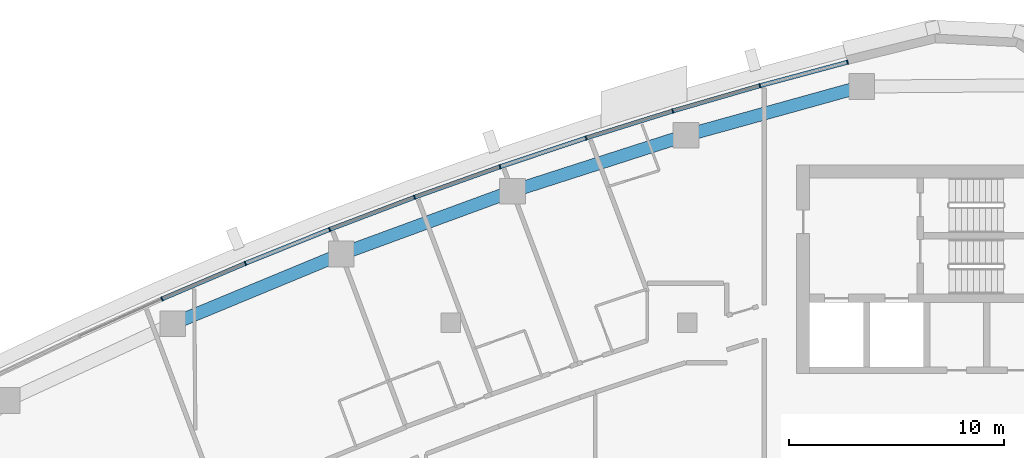
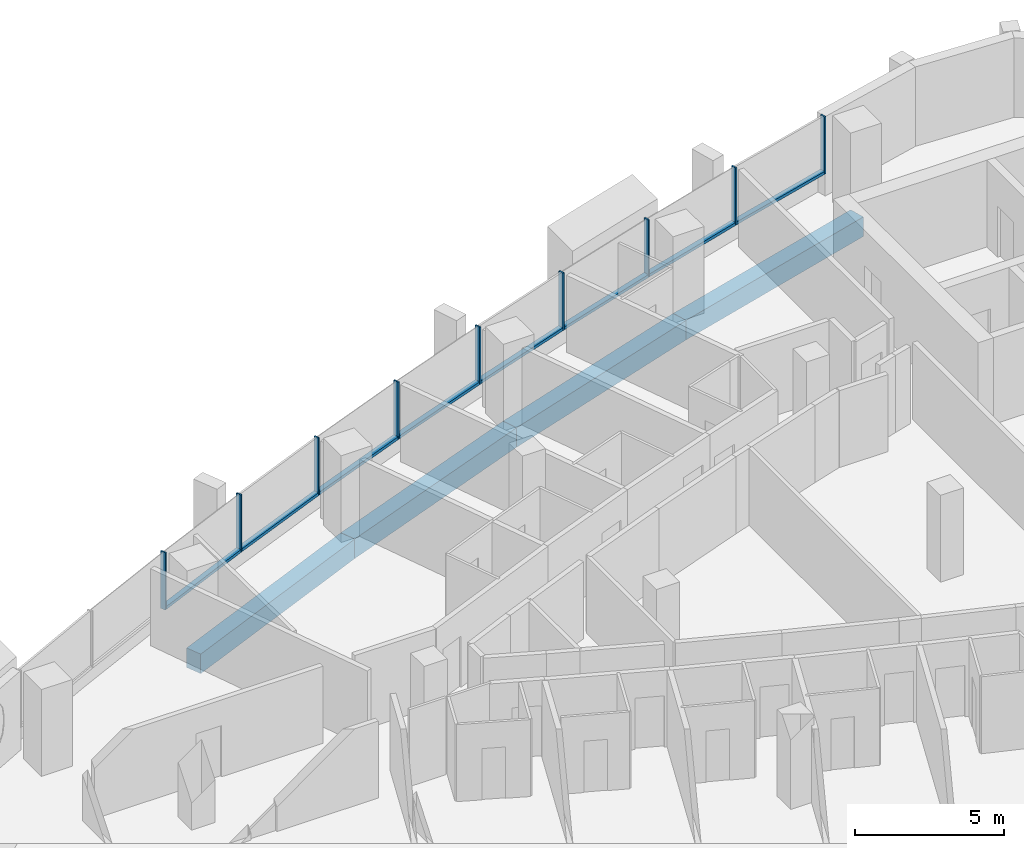
# One storey, part 6 of 16: 17 members, 4 beams, 4 elements without a shape of their own.
"""IFC4 building model written with IfcOpenShell, lengths in metres."""

from ifc_helpers import new_model, si_unit, direction, frame, origin, origin_2d, place, context, subcontext, project, spatial, rectangle, extrude, material, layer, layer_set, material_profile, profile_set, type_object, element, aggregate, save


model = new_model("IFC4")

# Units and contexts
model_context = context("Model", 3, precision=1e-05, world=origin(), true_north=direction((0.0, 1.0)))
body_context = subcontext(model_context, "Body", "Model", "MODEL_VIEW")
ifc_project = project(units=[si_unit("LENGTHUNIT", "METRE"), si_unit("AREAUNIT", "SQUARE_METRE"), si_unit("VOLUMEUNIT", "CUBIC_METRE"), si_unit("PLANEANGLEUNIT", "RADIAN"), si_unit("MASSUNIT", "GRAM", prefix="KILO")], contexts=[model_context])

# Site, building, storey
site_placement = place(None, origin())
site = spatial("IfcSite", under=ifc_project, at=site_placement, CompositionType="ELEMENT")
building_placement = place(site_placement, origin())
building = spatial("IfcBuilding", under=site, at=building_placement, Name="Ostrand Prow Hotel Tower", CompositionType="ELEMENT")
storey_placement = place(building_placement, frame((0.0, 0.0, 252.75)))
storey = spatial("IfcBuildingStorey", under=building, at=storey_placement, Name="L64", CompositionType="ELEMENT", Elevation=252.75)

# Beams
ifc_material_1 = material(Name="Concrete C50/60", Category="concrete")
ifc_material_profile_1 = material_profile(ifc_material_1, rectangle(XDim=0.60009765625, YDim=0.800048828125, at=origin_2d()), Name="RC 600x800")
ifc_profile_set_1 = profile_set([ifc_material_profile_1], Name="Concrete C50/60")
beam_type = type_object("IfcBeamType", Name="Edge beam 600x800 C50/60", PredefinedType="SPANDREL", material=ifc_profile_set_1)
for number, where, z_axis, x_axis, name in (
    (1, (53.12548828125, 19.99951171875, -0.699951171875), (-0.963625802813, -0.267255144297, 0.0), (0.267255144297, -0.963625802813, 0.0), "Edge beam N1-N2"),
    (2, (44.94677734375, 17.731201171875, -0.699951171875), (-0.95193933362, -0.306286638798, 0.0), (0.306286638798, -0.95193933362, 0.0), "Edge beam N2-N3"),
    (3, (36.8671875, 15.131591796875, -0.699951171875), (-0.938684959139, -0.344776083113, 0.0), (0.344776083113, -0.938684959139, 0.0), "Edge beam N3-N4"),
    (4, (28.900146484375, 12.205322265625, -0.699951171875), (-0.923890977326, -0.38265580097, 0.0), (0.38265580097, -0.923890977326, 0.0), "Edge beam N4-N5"),
):
    element("IfcBeam", number, at=place(storey_placement, frame(where, z_axis=z_axis, x_axis=x_axis)), inside=storey, type_object=beam_type, Name=name, PredefinedType="SPANDREL", context=body_context, shape_type="SweptSolid", body=[
        extrude(rectangle(XDim=0.60009765625, YDim=0.800048828125, at=origin_2d()), origin(), (0.0, 0.0, 1.0), 8.487548828125),
    ])

# Curtain wall, members
ifc_material_2 = material(Name="Insulated glass in bronze anodised frame", Category="glass")
ifc_layer = layer(ifc_material_2, 0.199951171875)
ifc_layer_set = layer_set([ifc_layer], Name="Insulated glass in bronze anodised frame")
curtain_wall_type = type_object("IfcCurtainWallType", Name="Strip curtain wall, fritted glass over bronze spandrel", PredefinedType="NOTDEFINED", material=ifc_layer_set)
curtain_wall_1_placement = place(storey_placement, origin())
curtain_wall_1 = element("IfcCurtainWall", 5, at=curtain_wall_1_placement, inside=storey, type_object=curtain_wall_type, Name="CW1 run CWN1", PredefinedType="NOTDEFINED")
ifc_material_3 = material(Name="Bronze anodised aluminium", Category="aluminium")
ifc_material_profile_2 = material_profile(ifc_material_3, rectangle(XDim=0.199951171875, YDim=0.06005859375, at=origin_2d()), Name="Mullion 60x200 bronze anodised aluminium")
ifc_profile_set_2 = profile_set([ifc_material_profile_2], Name="Bronze anodised aluminium")
member_type_1 = type_object("IfcMemberType", Name="Mullion 60x200 bronze anodised aluminium", PredefinedType="MULLION", material=ifc_profile_set_2)
member_1_placement = place(storey_placement, frame((52.465576171875, 21.1328125, 0.89990234375), z_axis=(0.0, 0.0, 1.0), x_axis=(0.258994370132, -0.965878831034, 0.0)))
member_1 = element("IfcMember", 6, at=member_1_placement, type_object=member_type_1, Name="CW1 mullion 1", PredefinedType="MULLION", context=body_context, shape_type="SweptSolid", body=[
    extrude(rectangle(XDim=0.199951171875, YDim=0.06005859375, at=origin_2d()), origin(), (0.0, 0.0, 1.0), 2.35009765625),
])
member_2_placement = place(storey_placement, frame((48.385986328125, 20.038818359375, 0.89990234375), z_axis=(0.0, 0.0, 1.0), x_axis=(0.27839270969, -0.960467333745, 0.0)))
member_2 = element("IfcMember", 7, at=member_2_placement, type_object=member_type_1, Name="CW1 mullion 2", PredefinedType="MULLION", context=body_context, shape_type="SweptSolid", body=[
    extrude(rectangle(XDim=0.199951171875, YDim=0.06005859375, at=origin_2d()), origin(), (0.0, 0.0, 1.0), 2.35009765625),
])
member_3_placement = place(storey_placement, frame((44.3291015625, 18.863037109375, 0.89990234375), z_axis=(0.0, 0.0, 1.0), x_axis=(0.27839270969, -0.960467333745, 0.0)))
member_3 = element("IfcMember", 8, at=member_3_placement, type_object=member_type_1, Name="CW1 mullion 3", PredefinedType="MULLION", context=body_context, shape_type="SweptSolid", body=[
    extrude(rectangle(XDim=0.199951171875, YDim=0.06005859375, at=origin_2d()), origin(), (0.0, 0.0, 1.0), 2.35009765625),
])

curtain_wall_2_placement = place(storey_placement, origin())
curtain_wall_2 = element("IfcCurtainWall", 9, at=curtain_wall_2_placement, inside=storey, type_object=curtain_wall_type, Name="CW1 run CWN2", PredefinedType="NOTDEFINED")
member_4_placement = place(storey_placement, frame((40.297119140625, 17.605712890625, 0.89990234375), z_axis=(0.0, 0.0, 1.0), x_axis=(0.31684118017, -0.948478606268, 0.0)))
member_4 = element("IfcMember", 10, at=member_4_placement, type_object=member_type_1, Name="CW1 mullion 2", PredefinedType="MULLION", context=body_context, shape_type="SweptSolid", body=[
    extrude(rectangle(XDim=0.199951171875, YDim=0.06005859375, at=origin_2d()), origin(), (0.0, 0.0, 1.0), 2.35009765625),
])
member_5_placement = place(storey_placement, frame((36.291015625, 16.267578125, 0.89990234375), z_axis=(0.0, 0.0, 1.0), x_axis=(0.31684118017, -0.948478606268, 0.0)))
member_5 = element("IfcMember", 11, at=member_5_placement, type_object=member_type_1, Name="CW1 mullion 3", PredefinedType="MULLION", context=body_context, shape_type="SweptSolid", body=[
    extrude(rectangle(XDim=0.199951171875, YDim=0.06005859375, at=origin_2d()), origin(), (0.0, 0.0, 1.0), 2.35009765625),
])

curtain_wall_3_placement = place(storey_placement, origin())
curtain_wall_3 = element("IfcCurtainWall", 12, at=curtain_wall_3_placement, inside=storey, type_object=curtain_wall_type, Name="CW1 run CWN3", PredefinedType="NOTDEFINED")
member_6_placement = place(storey_placement, frame((32.3125, 14.848876953125, 0.89990234375), z_axis=(0.0, 0.0, 1.0), x_axis=(0.354777361469, -0.934950813567, 0.0)))
member_6 = element("IfcMember", 13, at=member_6_placement, type_object=member_type_1, Name="CW1 mullion 2", PredefinedType="MULLION", context=body_context, shape_type="SweptSolid", body=[
    extrude(rectangle(XDim=0.199951171875, YDim=0.06005859375, at=origin_2d()), origin(), (0.0, 0.0, 1.0), 2.35009765625),
])
member_7_placement = place(storey_placement, frame((28.363525390625, 13.350341796875, 0.89990234375), z_axis=(0.0, 0.0, 1.0), x_axis=(0.354777361469, -0.934950813567, 0.0)))
member_7 = element("IfcMember", 14, at=member_7_placement, type_object=member_type_1, Name="CW1 mullion 3", PredefinedType="MULLION", context=body_context, shape_type="SweptSolid", body=[
    extrude(rectangle(XDim=0.199951171875, YDim=0.06005859375, at=origin_2d()), origin(), (0.0, 0.0, 1.0), 2.35009765625),
])

curtain_wall_4_placement = place(storey_placement, origin())
curtain_wall_4 = element("IfcCurtainWall", 15, at=curtain_wall_4_placement, inside=storey, type_object=curtain_wall_type, Name="CW1 run CWN4", PredefinedType="NOTDEFINED")
member_8_placement = place(storey_placement, frame((24.445556640625, 11.772705078125, 0.89990234375), z_axis=(0.0, 0.0, 1.0), x_axis=(0.392136433347, -0.919907070112, 0.0)))
member_8 = element("IfcMember", 16, at=member_8_placement, type_object=member_type_1, Name="CW1 mullion 2", PredefinedType="MULLION", context=body_context, shape_type="SweptSolid", body=[
    extrude(rectangle(XDim=0.199951171875, YDim=0.06005859375, at=origin_2d()), origin(), (0.0, 0.0, 1.0), 2.35009765625),
])
member_9_placement = place(storey_placement, frame((20.56005859375, 10.116455078125, 0.89990234375), z_axis=(0.0, 0.0, 1.0), x_axis=(0.392136433347, -0.919907070112, 0.0)))
member_9 = element("IfcMember", 17, at=member_9_placement, type_object=member_type_1, Name="CW1 mullion 3", PredefinedType="MULLION", context=body_context, shape_type="SweptSolid", body=[
    extrude(rectangle(XDim=0.199951171875, YDim=0.06005859375, at=origin_2d()), origin(), (0.0, 0.0, 1.0), 2.35009765625),
])

# Member
ifc_material_4 = material(Name="Bronze anodised aluminium", Category="aluminium")
ifc_material_profile_3 = material_profile(ifc_material_4, rectangle(XDim=0.199951171875, YDim=0.1201171875, at=origin_2d()), Name="Transom 120x200 bronze anodised aluminium")
ifc_profile_set_3 = profile_set([ifc_material_profile_3], Name="Bronze anodised aluminium")
member_type_2 = type_object("IfcMemberType", Name="Transom 120x200 bronze anodised aluminium", PredefinedType="USERDEFINED", material=ifc_profile_set_3)
member_10_placement = place(storey_placement, frame((52.4365234375, 21.125, 0.9599609375), z_axis=(-0.96587683346, -0.259001819657, 0.0), x_axis=(0.259001819657, -0.96587683346, 0.0)))
member_10 = element("IfcMember", 18, at=member_10_placement, type_object=member_type_2, Name="CW1 transom 1.1", ObjectType="TRANSOM", PredefinedType="USERDEFINED", context=body_context, shape_type="SweptSolid", body=[
    extrude(rectangle(XDim=0.199951171875, YDim=0.1201171875, at=origin_2d()), origin(), (0.0, 0.0, 1.0), 4.16357421875),
])

member_11_placement = place(storey_placement, frame((48.357177734375, 20.030517578125, 0.9599609375), z_axis=(-0.960468183791, -0.278389776976, 0.0), x_axis=(0.278389776976, -0.960468183791, 0.0)))
member_11 = element("IfcMember", 19, at=member_11_placement, type_object=member_type_2, Name="CW1 transom 2.1", ObjectType="TRANSOM", PredefinedType="USERDEFINED", context=body_context, shape_type="SweptSolid", body=[
    extrude(rectangle(XDim=0.199951171875, YDim=0.1201171875, at=origin_2d()), origin(), (0.0, 0.0, 1.0), 4.163818359375),
])

aggregate(curtain_wall_1, [member_1, member_2, member_3, member_10, member_11])

member_12_placement = place(storey_placement, frame((44.300537109375, 18.85400390625, 0.9599609375), z_axis=(-0.954676966691, -0.297643896746, 0.0), x_axis=(0.297643896746, -0.954676966691, 0.0)))
member_12 = element("IfcMember", 20, at=member_12_placement, type_object=member_type_2, Name="CW1 transom 1.1", ObjectType="TRANSOM", PredefinedType="USERDEFINED", context=body_context, shape_type="SweptSolid", body=[
    extrude(rectangle(XDim=0.199951171875, YDim=0.1201171875, at=origin_2d()), origin(), (0.0, 0.0, 1.0), 4.16357421875),
])

member_13_placement = place(storey_placement, frame((40.2685546875, 17.59619140625, 0.9599609375), z_axis=(-0.948489622939, -0.316808199353, 0.0), x_axis=(0.316808199353, -0.948489622939, 0.0)))
member_13 = element("IfcMember", 21, at=member_13_placement, type_object=member_type_2, Name="CW1 transom 2.1", ObjectType="TRANSOM", PredefinedType="USERDEFINED", context=body_context, shape_type="SweptSolid", body=[
    extrude(rectangle(XDim=0.199951171875, YDim=0.1201171875, at=origin_2d()), origin(), (0.0, 0.0, 1.0), 4.16357421875),
])

aggregate(curtain_wall_2, [member_4, member_5, member_12, member_13])

member_14_placement = place(storey_placement, frame((36.2626953125, 16.25732421875, 0.9599609375), z_axis=(-0.941911594104, -0.335860907061, 0.0), x_axis=(0.335860907061, -0.941911594104, 0.0)))
member_14 = element("IfcMember", 22, at=member_14_placement, type_object=member_type_2, Name="CW1 transom 1.1", ObjectType="TRANSOM", PredefinedType="USERDEFINED", context=body_context, shape_type="SweptSolid", body=[
    extrude(rectangle(XDim=0.199951171875, YDim=0.1201171875, at=origin_2d()), origin(), (0.0, 0.0, 1.0), 4.163818359375),
])

member_15_placement = place(storey_placement, frame((32.284423828125, 14.838134765625, 0.9599609375), z_axis=(-0.934960644813, -0.354751451936, 0.0), x_axis=(0.354751451936, -0.934960644813, 0.0)))
member_15 = element("IfcMember", 23, at=member_15_placement, type_object=member_type_2, Name="CW1 transom 2.1", ObjectType="TRANSOM", PredefinedType="USERDEFINED", context=body_context, shape_type="SweptSolid", body=[
    extrude(rectangle(XDim=0.199951171875, YDim=0.1201171875, at=origin_2d()), origin(), (0.0, 0.0, 1.0), 4.16357421875),
])

aggregate(curtain_wall_3, [member_6, member_7, member_14, member_15])

member_16_placement = place(storey_placement, frame((28.335693359375, 13.339111328125, 0.9599609375), z_axis=(-0.927625049372, -0.373512741119, 0.0), x_axis=(0.373512741119, -0.927625049372, 0.0)))
member_16 = element("IfcMember", 24, at=member_16_placement, type_object=member_type_2, Name="CW1 transom 1.1", ObjectType="TRANSOM", PredefinedType="USERDEFINED", context=body_context, shape_type="SweptSolid", body=[
    extrude(rectangle(XDim=0.199951171875, YDim=0.1201171875, at=origin_2d()), origin(), (0.0, 0.0, 1.0), 4.16357421875),
])

member_17_placement = place(storey_placement, frame((24.41796875, 11.760986328125, 0.9599609375), z_axis=(-0.919904541337, -0.392142365509, 0.0), x_axis=(0.392142365509, -0.919904541337, 0.0)))
member_17 = element("IfcMember", 25, at=member_17_placement, type_object=member_type_2, Name="CW1 transom 2.1", ObjectType="TRANSOM", PredefinedType="USERDEFINED", context=body_context, shape_type="SweptSolid", body=[
    extrude(rectangle(XDim=0.199951171875, YDim=0.1201171875, at=origin_2d()), origin(), (0.0, 0.0, 1.0), 4.163818359375),
])

aggregate(curtain_wall_4, [member_8, member_9, member_16, member_17])

save(model, "model.ifc")
